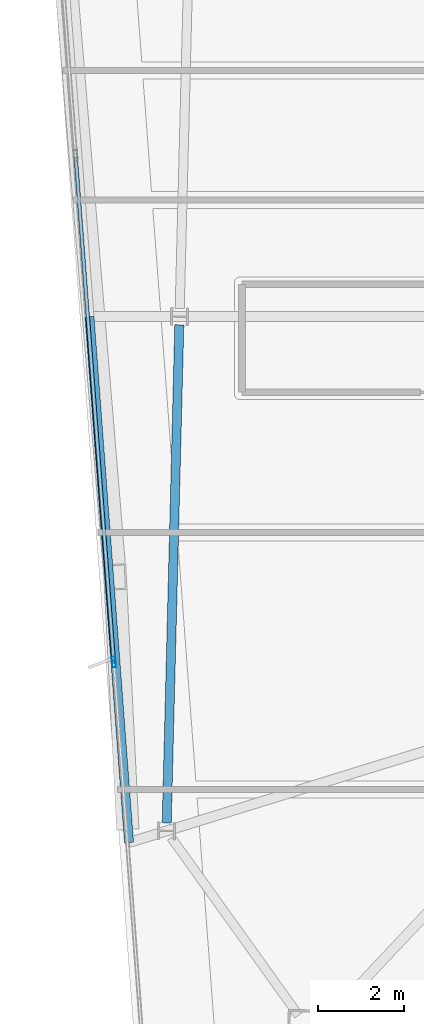
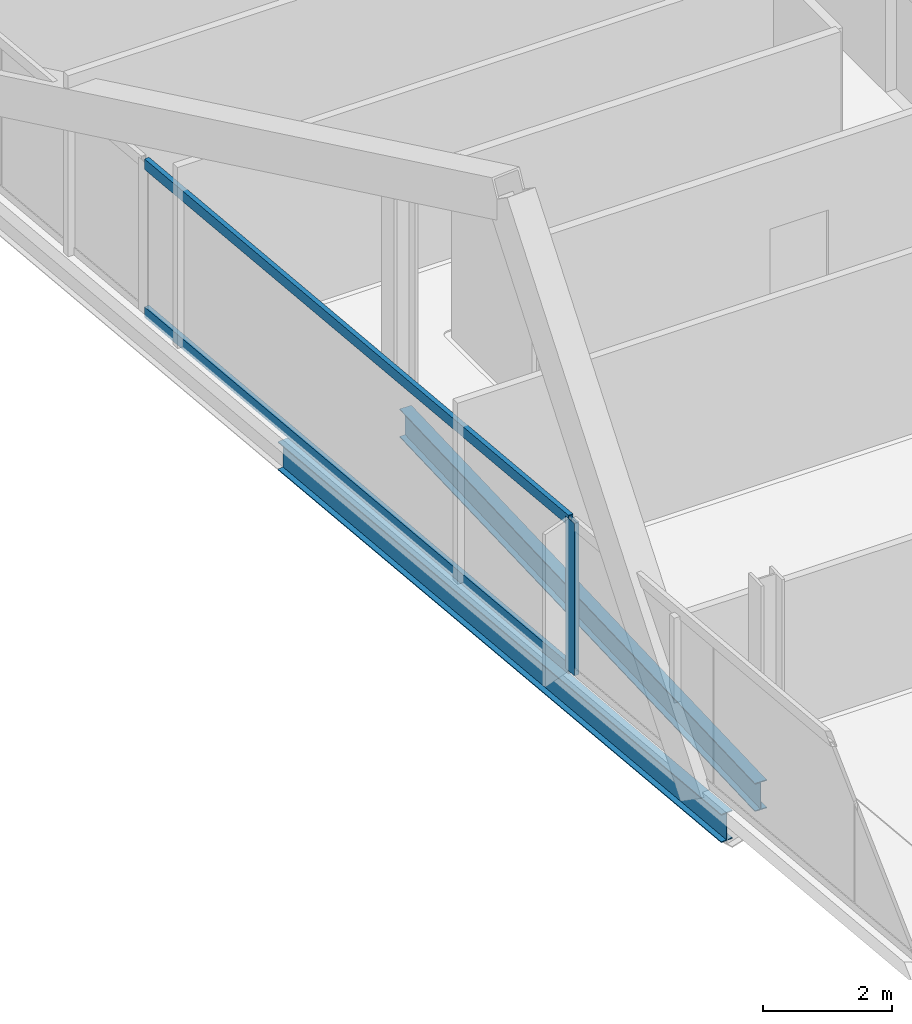
# One storey, part 6 of 23: 3 members, 2 beams, 1 element without a shape of its own.
"""IFC4 building model written with IfcOpenShell, lengths in metres."""

import ifcopenshell
import ifcopenshell.guid

model = None  # the IFC model being written
_history = None  # IfcOwnerHistory: only IFC2X3 demands one
_inside = {}  # id of a spatial element -> (the spatial element, [elements in it])
_under = {}  # id of a project, library or spatial element -> (it, [spatial elements below it])
_declared = {}  # id of a project -> (the project, [libraries it declares])
_typed = {}  # id of a type object -> (the type object, [elements of that type])
_made_of = {}  # id of a material, layer set ... -> (it, [elements and type objects made of it])


def new_model(schema):
    """Start an empty IFC model of exactly this schema.

    Asked for "IFC4X3", IfcOpenShell would pick the latest addendum, in which some entities
    have other attributes; the version numbers below select the first issue.
    IFC2X3 requires an IfcOwnerHistory on every rooted entity: one is made here for all.
    """
    global model, _history
    if schema == "IFC4X3":
        model = ifcopenshell.file(schema_version=(4, 3, 0, 0))
    else:
        model = ifcopenshell.file(schema=schema)
    _inside.clear()
    _under.clear()
    _declared.clear()
    _typed.clear()
    _made_of.clear()
    _history = None
    if model.schema == "IFC2X3":
        org = make("IfcOrganization", Name="unknown")
        user = make(
            "IfcPersonAndOrganization",
            ThePerson=make("IfcPerson", FamilyName="unknown"),
            TheOrganization=org,
        )
        app = make(
            "IfcApplication",
            ApplicationDeveloper=org,
            Version="unknown",
            ApplicationFullName="unknown",
            ApplicationIdentifier="unknown",
        )
        _history = make(
            "IfcOwnerHistory",
            OwningUser=user,
            OwningApplication=app,
            ChangeAction="ADDED",
            CreationDate=0,
        )
    return model


def make(cls, **values):
    """One entity of the class cls with the attributes given. An attribute that is None is left unset."""
    return model.create_entity(
        cls, **{name: value for name, value in values.items() if value is not None}
    )


def rooted(cls, **values):
    """An entity with a GlobalId (a new one), such as an element, a storey or a relation."""
    return make(cls, GlobalId=ifcopenshell.guid.new(), OwnerHistory=_history, **values)


def si_unit(unit_type, name, prefix=None):
    """IfcSIUnit, for example si_unit("LENGTHUNIT", "METRE", prefix="MILLI")."""
    return make("IfcSIUnit", UnitType=unit_type, Prefix=prefix, Name=name)


def assignment(units):
    """IfcUnitAssignment: the units of a project."""
    return None if units is None else make("IfcUnitAssignment", Units=units)


def point(xyz):
    """IfcCartesianPoint."""
    return None if xyz is None else make("IfcCartesianPoint", Coordinates=xyz)


def direction(xyz):
    """IfcDirection."""
    return None if xyz is None else make("IfcDirection", DirectionRatios=xyz)


def frame(location, z_axis=None, x_axis=None):
    """IfcAxis2Placement3D, a coordinate frame: its origin and axes. An axis left out is left unset."""
    return make(
        "IfcAxis2Placement3D",
        Location=point(location),
        Axis=direction(z_axis),
        RefDirection=direction(x_axis),
    )


def frame_2d(location, x_axis=None):
    """IfcAxis2Placement2D, a coordinate frame in the plane: its origin and x axis."""
    return make(
        "IfcAxis2Placement2D", Location=point(location), RefDirection=direction(x_axis)
    )


def origin():
    """The frame at (0, 0, 0) with its axes left unset."""
    return frame((0.0, 0.0, 0.0))


def origin_2d():
    """The frame at (0, 0) in the plane with its x axis left unset."""
    return frame_2d((0.0, 0.0))


def place(relative_to, where):
    """IfcLocalPlacement: puts the frame where relative to a parent placement (None: the world)."""
    return make(
        "IfcLocalPlacement", PlacementRelTo=relative_to, RelativePlacement=where
    )


def context(
    kind, dimensions, precision=None, world=None, true_north=None, identifier=None
):
    """IfcGeometricRepresentationContext, for example the 3D "Model" context."""
    return make(
        "IfcGeometricRepresentationContext",
        ContextIdentifier=identifier,
        ContextType=kind,
        CoordinateSpaceDimension=dimensions,
        Precision=precision,
        WorldCoordinateSystem=world,
        TrueNorth=true_north,
    )


def subcontext(parent, identifier, kind, view, scale=None):
    """IfcGeometricRepresentationSubContext, for example "Body" below "Model"."""
    return make(
        "IfcGeometricRepresentationSubContext",
        ContextIdentifier=identifier,
        ContextType=kind,
        ParentContext=parent,
        TargetScale=scale,
        TargetView=view,
    )


def project(units=None, contexts=None):
    """IfcProject with its units and contexts."""
    return rooted(
        "IfcProject",
        Name="project",
        RepresentationContexts=contexts,
        UnitsInContext=assignment(units),
    )


def spatial(cls, under=None, at=None, **own):
    """A site, building, storey or space (cls), placed at a placement, below another one or the project."""
    s = rooted(cls, ObjectPlacement=at, **own)
    if under is not None:
        _under.setdefault(under.id(), (under, []))[1].append(s)
    return s


def profile(cls, at=None, kind="AREA", **sizes):
    """A parametric profile (cls). Its sizes go by their IFC names, for example OverallWidth=200.0."""
    return make(cls, ProfileType=kind, Position=at, **sizes)


def hollow_rectangle(**sizes):
    """IfcRectangleHollowProfileDef."""
    return profile("IfcRectangleHollowProfileDef", **sizes)


def i_section(**sizes):
    """IfcIShapeProfileDef."""
    return profile("IfcIShapeProfileDef", **sizes)


def extrude(swept, where, along, depth):
    """IfcExtrudedAreaSolid: the profile swept, set in the frame where, extruded along a direction by depth."""
    return make(
        "IfcExtrudedAreaSolid",
        SweptArea=swept,
        Position=where,
        ExtrudedDirection=direction(along),
        Depth=depth,
    )


def shape(context_of_items, identifier, shape_type, items):
    """IfcShapeRepresentation: the items that make up one representation, for example the "Body"."""
    return make(
        "IfcShapeRepresentation",
        ContextOfItems=context_of_items,
        RepresentationIdentifier=identifier,
        RepresentationType=shape_type,
        Items=items,
    )


def material(Name=None, Category=None):
    """IfcMaterial."""
    return make("IfcMaterial", Name=Name, Category=Category)


def material_profile(
    of_material, cross_section, Name=None, Category=None, Priority=None
):
    """IfcMaterialProfile: a cross section and its material."""
    return make(
        "IfcMaterialProfile",
        Name=Name,
        Material=of_material,
        Profile=cross_section,
        Priority=Priority,
        Category=Category,
    )


def profile_set(profiles, Name=None, composite=None):
    """IfcMaterialProfileSet."""
    return make(
        "IfcMaterialProfileSet",
        Name=Name,
        MaterialProfiles=profiles,
        CompositeProfile=composite,
    )


def made_of(thing, what):
    """Note that an element or type object is made of a material, layer set ...; save() writes the relation."""
    if what is not None:
        _made_of.setdefault(what.id(), (what, []))[1].append(thing)
    return thing


def type_object(cls, material=None, **own):
    """A type object (cls), such as IfcWallType, which elements share."""
    return made_of(rooted(cls, **own), material)


def element(
    cls,
    number,
    at=None,
    inside=None,
    cuts=None,
    type_object=None,
    material=None,
    context=None,
    identifier="Body",
    shape_type=None,
    held_by="IfcProductDefinitionShape",
    body=None,
    shapes=None,
    **own,
):
    """One element of the class cls, such as IfcWall. Its Tag is "e" and its number.

    at: its placement. inside: the storey or other place that contains it. cuts: it is an
    opening in that element (IfcRelVoidsElement). A single representation is given by context,
    identifier, shape_type and body (its items); several are given by shapes. held_by: the class
    of the entity that holds the representations. save() writes the other relations.
    """
    e = rooted(cls, Tag="e%d" % number, ObjectPlacement=at, **own)
    if body is not None:
        shapes = [shape(context, identifier, shape_type, body)]
    if shapes is not None:
        e.Representation = make(held_by, Representations=shapes)
    if inside is not None:
        _inside.setdefault(inside.id(), (inside, []))[1].append(e)
    if cuts is not None:
        rooted(
            "IfcRelVoidsElement", RelatingBuildingElement=cuts, RelatedOpeningElement=e
        )
    if type_object is not None:
        _typed.setdefault(type_object.id(), (type_object, []))[1].append(e)
    return made_of(e, material)


def aggregate(whole, parts):
    """IfcRelAggregates: a whole, such as a stair, and the parts it consists of."""
    return rooted("IfcRelAggregates", RelatingObject=whole, RelatedObjects=parts)


def save(model, path):
    """Write the relations noted so far, then the file.

    IfcRelAggregates (storeys below a building ...), IfcRelContainedInSpatialStructure (elements
    in a storey), IfcRelDefinesByType, IfcRelAssociatesMaterial and IfcRelDeclares: one each for
    every whole, place, type object, material and project.
    """
    for whole, parts in _under.values():
        aggregate(whole, parts)
    for where, things in _inside.values():
        rooted(
            "IfcRelContainedInSpatialStructure",
            RelatedElements=things,
            RelatingStructure=where,
        )
    for kind, things in _typed.values():
        rooted("IfcRelDefinesByType", RelatedObjects=things, RelatingType=kind)
    for what, things in _made_of.values():
        rooted("IfcRelAssociatesMaterial", RelatedObjects=things, RelatingMaterial=what)
    for by, libraries in _declared.values():
        rooted("IfcRelDeclares", RelatingContext=by, RelatedDefinitions=libraries)
    model.write(path)


model = new_model("IFC4")

# Units and contexts
model_context = context("Model", 3, precision=1e-05, world=origin(), true_north=direction((0.0, 1.0)))
body_context = subcontext(model_context, "Body", "Model", "MODEL_VIEW")
ifc_project = project(units=[si_unit("LENGTHUNIT", "METRE"), si_unit("AREAUNIT", "SQUARE_METRE"), si_unit("VOLUMEUNIT", "CUBIC_METRE"), si_unit("PLANEANGLEUNIT", "RADIAN"), si_unit("MASSUNIT", "GRAM", prefix="KILO")], contexts=[model_context])

# Site, building, storey
site_placement = place(None, origin())
site = spatial("IfcSite", under=ifc_project, at=site_placement, CompositionType="ELEMENT")
building_placement = place(site_placement, origin())
building = spatial("IfcBuilding", under=site, at=building_placement, Name="Haldenkirk Collegiate Tower", CompositionType="ELEMENT")
storey_placement = place(building_placement, frame((0.0, 0.0, 343.949951171875)))
storey = spatial("IfcBuildingStorey", under=building, at=storey_placement, Name="L87", CompositionType="ELEMENT", Elevation=343.949951171875)

# Beams
ifc_material_1 = material(Name="Steel ASTM A992 Grade 50", Category="steel")
ifc_material_profile_1 = material_profile(ifc_material_1, i_section(OverallWidth=0.2099609375, OverallDepth=0.537109375, WebThickness=0.010986328125, FlangeThickness=0.017333984375, at=origin_2d()), Name="W21X68")
ifc_profile_set_1 = profile_set([ifc_material_profile_1], Name="Steel ASTM A992 Grade 50")
beam_type = type_object("IfcBeamType", Name="BM-SPANDREL-W21X68", PredefinedType="SPANDREL", material=ifc_profile_set_1)
beam_1_placement = place(storey_placement, frame((16.25146484375, 26.31201171875, -0.528564453125), z_axis=(-0.02528078186, -0.999680389959, 0.0), x_axis=(0.999680389959, -0.02528078186, 0.0)))
element("IfcBeam", 1, at=beam_1_placement, inside=storey, type_object=beam_type, Name="L87 perimeter spandrel beam 11", PredefinedType="SPANDREL", context=body_context, shape_type="SweptSolid", body=[
    extrude(i_section(OverallWidth=0.2099609375, OverallDepth=0.537109375, WebThickness=0.010986328125, FlangeThickness=0.017333984375, at=origin_2d()), origin(), (0.0, 0.0, 1.0), 11.540283203125),
])
beam_2_placement = place(storey_placement, frame((14.1708984375, 26.499755859375, -0.528564453125), z_axis=(0.074993674157, -0.997184009517, 0.0), x_axis=(0.997184009517, 0.074993674157, 0.0)))
element("IfcBeam", 2, at=beam_2_placement, inside=storey, type_object=beam_type, Name="L87 outer facade edge beam 3B", PredefinedType="SPANDREL", context=body_context, shape_type="SweptSolid", body=[
    extrude(i_section(OverallWidth=0.2099609375, OverallDepth=0.537109375, WebThickness=0.010986328125, FlangeThickness=0.017333984375, at=origin_2d()), origin(), (0.0, 0.0, 1.0), 12.214599609375),
])

# Curtain wall, members
ifc_material_2 = material(Name="Anodised architectural bronze aluminium", Category="aluminium")
curtain_wall_type = type_object("IfcCurtainWallType", Name="CW-SYS1B-CONVEX-HI", PredefinedType="USERDEFINED", material=ifc_material_2)
curtain_wall_placement = place(storey_placement, origin())
curtain_wall = element("IfcCurtainWall", 3, at=curtain_wall_placement, inside=storey, type_object=curtain_wall_type, Name="L87 Upper tower high-wind convex bronze unitised curtain wall", ObjectType="UNITISED CURTAIN WALL", PredefinedType="USERDEFINED")
ifc_material_profile_2 = material_profile(ifc_material_2, hollow_rectangle(XDim=0.0849609375, YDim=0.25, WallThickness=0.0048828125, at=origin_2d()), Name="CW-MUL-1B")
ifc_profile_set_2 = profile_set([ifc_material_profile_2], Name="Anodised architectural bronze aluminium")
member_type_1 = type_object("IfcMemberType", Name="CW-MUL-1B", PredefinedType="MULLION", material=ifc_profile_set_2)
member_1_placement = place(storey_placement, frame((14.732421875, 18.5009765625, 0.0), z_axis=(0.0, 0.0, 1.0), x_axis=(-0.997185231822, -0.074977419512, 0.0)))
member_1 = element("IfcMember", 4, at=member_1_placement, type_object=member_type_1, Name="CW-1B mullion 2", PredefinedType="MULLION", context=body_context, shape_type="SweptSolid", body=[
    extrude(hollow_rectangle(XDim=0.0849609375, YDim=0.25, WallThickness=0.0048828125, at=origin_2d()), origin(), (0.0, 0.0, 1.0), 2.887939453125),
])
ifc_material_profile_3 = material_profile(ifc_material_2, hollow_rectangle(XDim=0.0849609375, YDim=0.199951171875, WallThickness=0.0048828125, at=origin_2d()), Name="CW-TRN-1B")
ifc_profile_set_3 = profile_set([ifc_material_profile_3], Name="Anodised architectural bronze aluminium")
member_type_2 = type_object("IfcMemberType", Name="CW-TRN-1B", PredefinedType="USERDEFINED", material=ifc_profile_set_3)
member_2_placement = place(storey_placement, frame((14.729248046875, 18.543212890625, 0.04248046875), z_axis=(-0.074986339548, 0.997184561092, 0.0), x_axis=(-0.997184561092, -0.074986339548, 0.0)))
member_2 = element("IfcMember", 5, at=member_2_placement, type_object=member_type_2, Name="CW-1B transom 2.1", ObjectType="TRANSOM", PredefinedType="USERDEFINED", context=body_context, shape_type="SweptSolid", body=[
    extrude(hollow_rectangle(XDim=0.0849609375, YDim=0.199951171875, WallThickness=0.0048828125, at=origin_2d()), origin(), (0.0, 0.0, 1.0), 11.681884765625),
])
member_3_placement = place(storey_placement, frame((14.729248046875, 18.543212890625, 2.845458984375), z_axis=(-0.074986339548, 0.997184561092, 0.0), x_axis=(-0.997184561092, -0.074986339548, 0.0)))
member_3 = element("IfcMember", 6, at=member_3_placement, type_object=member_type_2, Name="CW-1B transom 2.2", ObjectType="TRANSOM", PredefinedType="USERDEFINED", context=body_context, shape_type="SweptSolid", body=[
    extrude(hollow_rectangle(XDim=0.0849609375, YDim=0.199951171875, WallThickness=0.0048828125, at=origin_2d()), origin(), (0.0, 0.0, 1.0), 11.681884765625),
])
aggregate(curtain_wall, [member_1, member_2, member_3])

save(model, "model.ifc")
